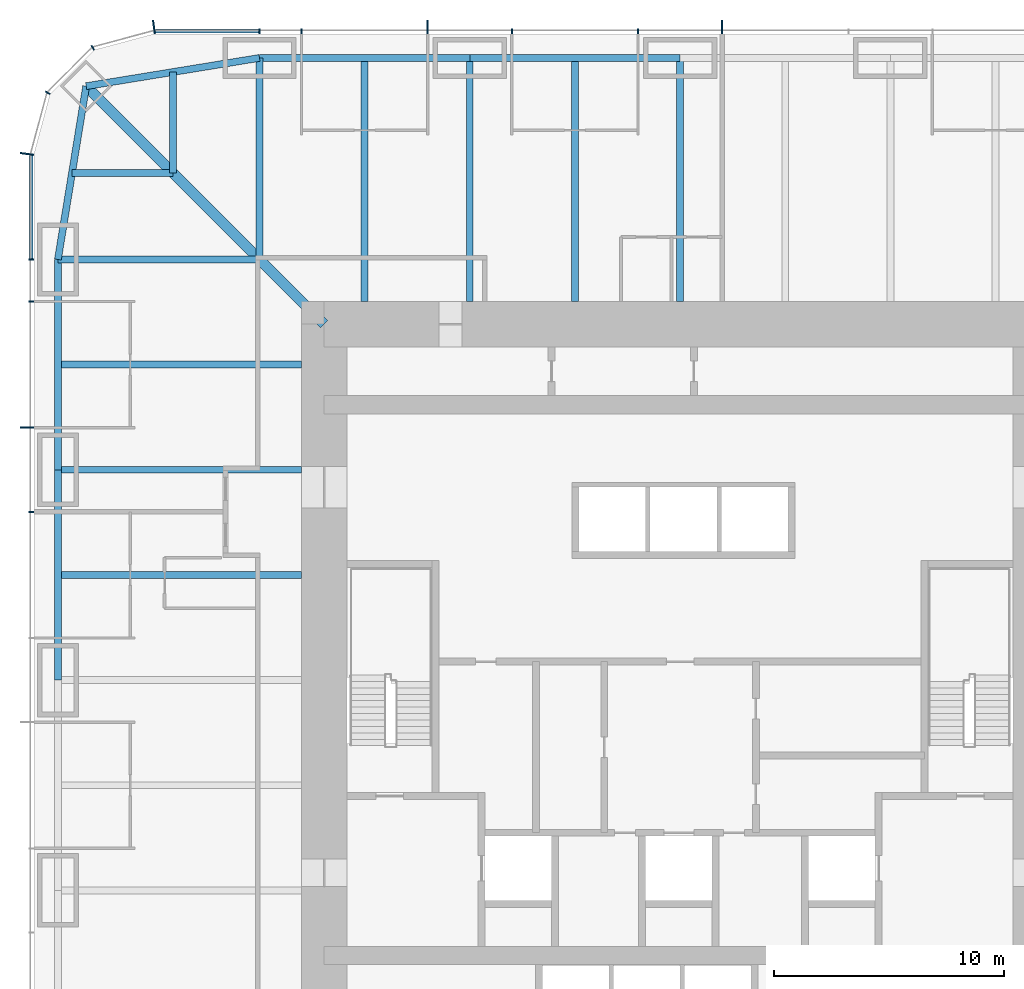
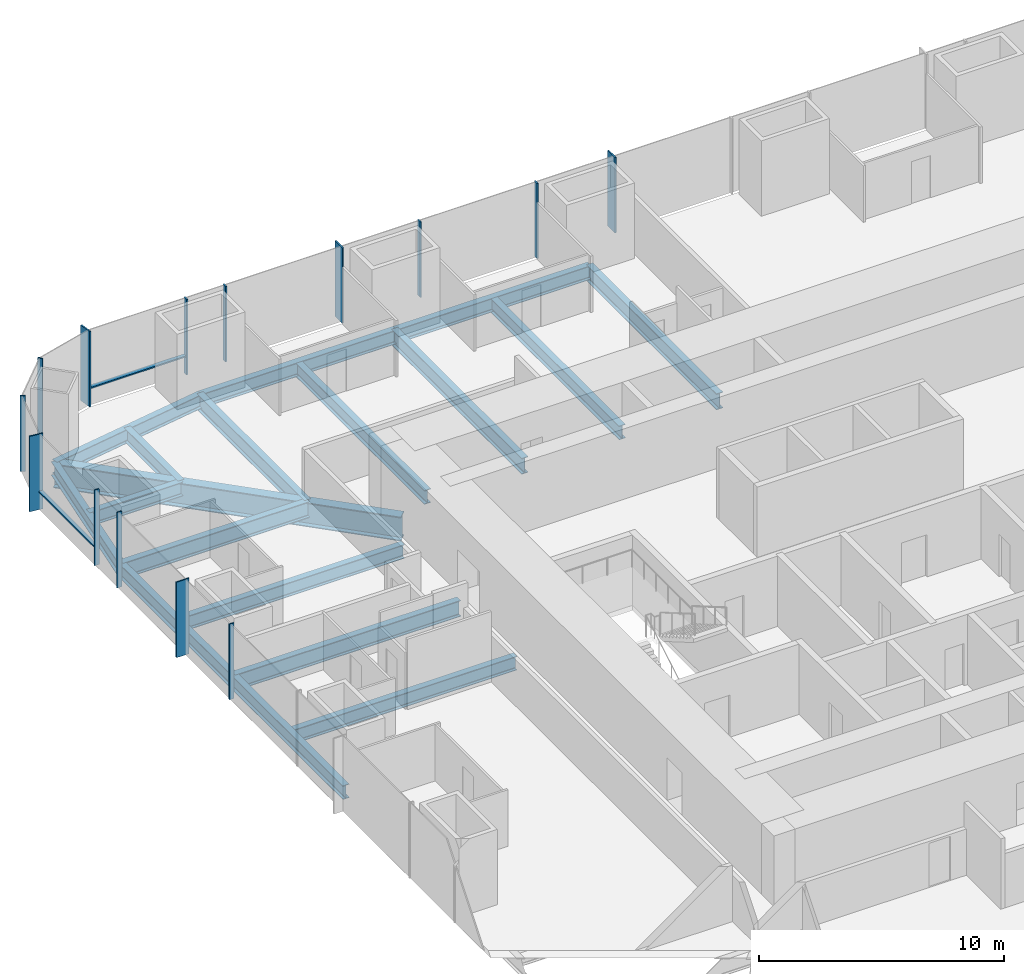
# One storey, part 4 of 11: 18 beams, 16 members, 3 elements without a shape of their own.
"""IFC4 building model written with IfcOpenShell, lengths in metres."""

from ifc_helpers import new_model, si_unit, direction, frame, origin, origin_2d, place, context, subcontext, project, spatial, rectangle, i_section, extrude, material, material_profile, profile_set, type_object, element, aggregate, save


model = new_model("IFC4")

# Units and contexts
model_context = context("Model", 3, precision=1e-05, world=origin(), true_north=direction((0.0, 1.0)))
body_context = subcontext(model_context, "Body", "Model", "MODEL_VIEW")
ifc_project = project(units=[si_unit("LENGTHUNIT", "METRE"), si_unit("AREAUNIT", "SQUARE_METRE"), si_unit("VOLUMEUNIT", "CUBIC_METRE"), si_unit("PLANEANGLEUNIT", "RADIAN"), si_unit("MASSUNIT", "GRAM", prefix="KILO")], contexts=[model_context])

# Site, building, storey
site_placement = place(None, origin())
site = spatial("IfcSite", under=ifc_project, at=site_placement, CompositionType="ELEMENT")
building_placement = place(site_placement, origin())
building = spatial("IfcBuilding", under=site, at=building_placement, Name="Khuree Lantern Residences", CompositionType="ELEMENT")
storey_placement = place(building_placement, frame((0.0, 0.0, 174.75)))
storey = spatial("IfcBuildingStorey", under=building, at=storey_placement, Name="L44", CompositionType="ELEMENT", Elevation=174.75)

# Beams
ifc_material_1 = material(Name="Steel S355", Category="steel")
ifc_material_profile_1 = material_profile(ifc_material_1, i_section(OverallWidth=0.300048828125, OverallDepth=0.68994140625, WebThickness=0.014404296875, FlangeThickness=0.027099609375, FilletRadius=0.027099609375, at=origin_2d()), Name="HE 700 A")
ifc_profile_set_1 = profile_set([ifc_material_profile_1], Name="Steel S355")
beam_type_1 = type_object("IfcBeamType", Name="B-25A SECONDARY BEAM HE 700 A", PredefinedType="BEAM", material=ifc_profile_set_1)
for number, where, z_axis, x_axis, name in (
    (1, (-13.739990234375, 27.10009765625, -0.594970703125), (0.0, -1.0, 0.0), (1.0, 0.0, 0.0), "Secondary beam N1"),
    (2, (-4.580078125, 27.10009765625, -0.594970703125), (0.0, -1.0, 0.0), (1.0, 0.0, 0.0), "Secondary beam N2"),
    (3, (-27.10009765625, 4.580078125, -0.594970703125), (1.0, 0.0, 0.0), (0.0, 1.0, 0.0), "Secondary beam W4"),
    (4, (-27.10009765625, 13.739990234375, -0.594970703125), (1.0, 0.0, 0.0), (0.0, 1.0, 0.0), "Secondary beam W5"),
):
    element("IfcBeam", number, at=place(storey_placement, frame(where, z_axis=z_axis, x_axis=x_axis)), inside=storey, type_object=beam_type_1, Name=name, PredefinedType="BEAM", context=body_context, shape_type="SweptSolid", body=[
        extrude(i_section(OverallWidth=0.300048828125, OverallDepth=0.68994140625, WebThickness=0.014404296875, FlangeThickness=0.027099609375, FilletRadius=0.027099609375, at=origin_2d()), origin(), (0.0, 0.0, 1.0), 10.60009765625),
    ])
for number, where, z_axis, x_axis, name in (
    (5, (-26.48486328125, 22.094970703125, -0.594970703125), (1.0, 0.0, 0.0), (0.0, 1.0, 0.0), "Secondary beam W6"),
    (6, (-22.094970703125, 26.48486328125, -0.594970703125), (0.0, -1.0, 0.0), (1.0, 0.0, 0.0), "Secondary beam N6"),
):
    element("IfcBeam", number, at=place(storey_placement, frame(where, z_axis=z_axis, x_axis=x_axis)), inside=storey, type_object=beam_type_1, Name=name, PredefinedType="BEAM", context=body_context, shape_type="SweptSolid", body=[
        extrude(i_section(OverallWidth=0.300048828125, OverallDepth=0.68994140625, WebThickness=0.014404296875, FlangeThickness=0.027099609375, FilletRadius=0.027099609375, at=origin_2d()), origin(), (0.0, 0.0, 1.0), 4.389892578125),
    ])
ifc_material_profile_2 = material_profile(ifc_material_1, i_section(OverallWidth=0.300048828125, OverallDepth=0.68994140625, WebThickness=0.014404296875, FlangeThickness=0.027099609375, FilletRadius=0.027099609375, at=origin_2d()), Name="HE 700 A")
ifc_profile_set_2 = profile_set([ifc_material_profile_2], Name="Steel S355")
beam_type_2 = type_object("IfcBeamType", Name="E-25 SPANDREL BEAM HE 700 A", PredefinedType="SPANDREL", material=ifc_profile_set_2)
beam_1_placement = place(storey_placement, frame((-18.320068359375, 27.10009765625, -0.594970703125), z_axis=(1.0, 0.0, 0.0), x_axis=(0.0, 1.0, 0.0)))
element("IfcBeam", 7, at=beam_1_placement, inside=storey, type_object=beam_type_2, Name="Spandrel beam N1", PredefinedType="SPANDREL", context=body_context, shape_type="SweptSolid", body=[
    extrude(i_section(OverallWidth=0.300048828125, OverallDepth=0.68994140625, WebThickness=0.014404296875, FlangeThickness=0.027099609375, FilletRadius=0.027099609375, at=origin_2d()), origin(), (0.0, 0.0, 1.0), 9.16015625),
])
for number, where, z_axis, x_axis, name in (
    (8, (-9.159912109375, 27.10009765625, -0.594970703125), (1.0, 0.0, 0.0), (0.0, 1.0, 0.0), "Spandrel beam N2"),
    (9, (-27.10009765625, 0.0, -0.594970703125), (0.0, 1.0, 0.0), (-1.0, 0.0, 0.0), "Spandrel beam W4"),
):
    element("IfcBeam", number, at=place(storey_placement, frame(where, z_axis=z_axis, x_axis=x_axis)), inside=storey, type_object=beam_type_2, Name=name, PredefinedType="SPANDREL", context=body_context, shape_type="SweptSolid", body=[
        extrude(i_section(OverallWidth=0.300048828125, OverallDepth=0.68994140625, WebThickness=0.014404296875, FlangeThickness=0.027099609375, FilletRadius=0.027099609375, at=origin_2d()), origin(), (0.0, 0.0, 1.0), 9.159912109375),
    ])
beam_2_placement = place(storey_placement, frame((-27.10009765625, 9.159912109375, -0.594970703125), z_axis=(0.0, 1.0, 0.0), x_axis=(-1.0, 0.0, 0.0)))
element("IfcBeam", 10, at=beam_2_placement, inside=storey, type_object=beam_type_2, Name="Spandrel beam W5", PredefinedType="SPANDREL", context=body_context, shape_type="SweptSolid", body=[
    extrude(i_section(OverallWidth=0.300048828125, OverallDepth=0.68994140625, WebThickness=0.014404296875, FlangeThickness=0.027099609375, FilletRadius=0.027099609375, at=origin_2d()), origin(), (0.0, 0.0, 1.0), 9.16015625),
])
for number, where, z_axis, x_axis, name in (
    (11, (-27.10009765625, 18.320068359375, -0.594970703125), (0.160826723833, 0.986982656839, 0.0), (-0.986982656839, 0.160826723833, 0.0), "Spandrel beam W6"),
    (12, (-25.869873046875, 25.869873046875, -0.594970703125), (0.986982656839, 0.160826723833, 0.0), (-0.160826723833, 0.986982656839, 0.0), "Spandrel beam N6"),
):
    element("IfcBeam", number, at=place(storey_placement, frame(where, z_axis=z_axis, x_axis=x_axis)), inside=storey, type_object=beam_type_2, Name=name, PredefinedType="SPANDREL", context=body_context, shape_type="SweptSolid", body=[
        extrude(i_section(OverallWidth=0.300048828125, OverallDepth=0.68994140625, WebThickness=0.014404296875, FlangeThickness=0.027099609375, FilletRadius=0.027099609375, at=origin_2d()), origin(), (0.0, 0.0, 1.0), 7.6494140625),
    ])

# Curtain wall, members
ifc_material_2 = material(Name="Bronze anodised aluminium", Category="aluminium")
curtain_wall_type_1 = type_object("IfcCurtainWallType", Name="CW-T1 TOWER FACE CURTAIN WALL", PredefinedType="USERDEFINED", material=ifc_material_2)
curtain_wall_1_placement = place(storey_placement, origin())
curtain_wall_1 = element("IfcCurtainWall", 13, at=curtain_wall_1_placement, inside=storey, type_object=curtain_wall_type_1, Name="L44 NORTH FACE CURTAIN WALL", ObjectType="Stick-built curtain wall", PredefinedType="USERDEFINED")
ifc_material_profile_3 = material_profile(ifc_material_2, rectangle(XDim=0.06494140625, YDim=0.60009765625, at=origin_2d()), Name="F1 65X600")
ifc_profile_set_3 = profile_set([ifc_material_profile_3], Name="Bronze anodised aluminium")
member_type_1 = type_object("IfcMemberType", Name="F1 BRONZE FIN MULLION TOWER 65X600", PredefinedType="MULLION", material=ifc_profile_set_3)
member_1_placement = place(storey_placement, frame((1.83203125, 28.449951171875, 0.0), z_axis=(0.0, 0.0, 1.0), x_axis=(-1.0, 0.0, 0.0)))
member_1 = element("IfcMember", 14, at=member_1_placement, type_object=member_type_1, Name="L44 NORTH FACE FIN MULLION 23", PredefinedType="MULLION", context=body_context, shape_type="SweptSolid", body=[
    extrude(rectangle(XDim=0.06494140625, YDim=0.60009765625, at=origin_2d()), origin(), (0.0, 0.0, 1.0), 3.75),
])
member_2_placement = place(storey_placement, frame((-10.991943359375, 28.449951171875, 0.0), z_axis=(0.0, 0.0, 1.0), x_axis=(-1.0, 0.0, 0.0)))
member_2 = element("IfcMember", 15, at=member_2_placement, type_object=member_type_1, Name="L44 NORTH FACE FIN MULLION 26", PredefinedType="MULLION", context=body_context, shape_type="SweptSolid", body=[
    extrude(rectangle(XDim=0.06494140625, YDim=0.60009765625, at=origin_2d()), origin(), (0.0, 0.0, 1.0), 3.75),
])

# Curtain wall, member
curtain_wall_type_2 = type_object("IfcCurtainWallType", Name="CW-T2 TOWER CORNER CURTAIN WALL", PredefinedType="USERDEFINED", material=ifc_material_2)
curtain_wall_2_placement = place(storey_placement, origin())
curtain_wall_2 = element("IfcCurtainWall", 16, at=curtain_wall_2_placement, inside=storey, type_object=curtain_wall_type_2, Name="L44 NORTH-WEST CORNER CURTAIN WALL", ObjectType="Faceted corner curtain wall", PredefinedType="USERDEFINED")
member_3_placement = place(storey_placement, frame((-22.919677734375, 28.4501953125, 0.0), z_axis=(0.0, 0.0, 1.0), x_axis=(-0.991444857305, -0.130526223125, 0.0)))
member_3 = element("IfcMember", 17, at=member_3_placement, type_object=member_type_1, Name="L44 NORTH-WEST CORNER FIN MULLION 29", PredefinedType="MULLION", context=body_context, shape_type="SweptSolid", body=[
    extrude(rectangle(XDim=0.06494140625, YDim=0.60009765625, at=origin_2d()), origin(), (0.0, 0.0, 1.0), 3.75),
])

# Curtain wall, members
curtain_wall_3_placement = place(storey_placement, origin())
curtain_wall_3 = element("IfcCurtainWall", 18, at=curtain_wall_3_placement, inside=storey, type_object=curtain_wall_type_1, Name="L44 WEST FACE CURTAIN WALL", ObjectType="Stick-built curtain wall", PredefinedType="USERDEFINED")
member_4_placement = place(storey_placement, frame((-28.4501953125, 22.919677734375, 0.0), z_axis=(0.0, 0.0, 1.0), x_axis=(-0.130526223125, -0.991444857305, 0.0)))
member_4 = element("IfcMember", 19, at=member_4_placement, type_object=member_type_1, Name="L44 WEST FACE FIN MULLION 32", PredefinedType="MULLION", context=body_context, shape_type="SweptSolid", body=[
    extrude(rectangle(XDim=0.06494140625, YDim=0.60009765625, at=origin_2d()), origin(), (0.0, 0.0, 1.0), 3.75),
])
member_5_placement = place(storey_placement, frame((-28.449951171875, 10.991943359375, 0.0), z_axis=(0.0, 0.0, 1.0), x_axis=(0.0, -1.0, 0.0)))
member_5 = element("IfcMember", 20, at=member_5_placement, type_object=member_type_1, Name="L44 WEST FACE FIN MULLION 35", PredefinedType="MULLION", context=body_context, shape_type="SweptSolid", body=[
    extrude(rectangle(XDim=0.06494140625, YDim=0.60009765625, at=origin_2d()), origin(), (0.0, 0.0, 1.0), 3.75),
])

# Beams
ifc_material_profile_4 = material_profile(ifc_material_1, i_section(OverallWidth=0.300048828125, OverallDepth=0.800048828125, WebThickness=0.017578125, FlangeThickness=0.032958984375, FilletRadius=0.030029296875, at=origin_2d()), Name="HE 800 B")
ifc_profile_set_4 = profile_set([ifc_material_profile_4], Name="Steel S355")
beam_type_3 = type_object("IfcBeamType", Name="G-25A GIRDER HE 800 B", PredefinedType="BEAM", material=ifc_profile_set_4)
beam_3_placement = place(storey_placement, frame((-18.320068359375, 27.10009765625, -0.64990234375), z_axis=(0.0, -1.0, 0.0), x_axis=(1.0, 0.0, 0.0)))
element("IfcBeam", 21, at=beam_3_placement, inside=storey, type_object=beam_type_3, Name="Girder N1", PredefinedType="BEAM", context=body_context, shape_type="SweptSolid", body=[
    extrude(i_section(OverallWidth=0.300048828125, OverallDepth=0.800048828125, WebThickness=0.017578125, FlangeThickness=0.032958984375, FilletRadius=0.030029296875, at=origin_2d()), origin(), (0.0, 0.0, 1.0), 8.780029296875),
])
for number, where, z_axis, x_axis, name in (
    (22, (-9.159912109375, 27.10009765625, -0.64990234375), (0.0, -1.0, 0.0), (1.0, 0.0, 0.0), "Girder N2"),
    (23, (0.0, 27.10009765625, -0.64990234375), (0.0, -1.0, 0.0), (1.0, 0.0, 0.0), "Girder N3"),
    (24, (-27.10009765625, 9.159912109375, -0.64990234375), (1.0, 0.0, 0.0), (0.0, 1.0, 0.0), "Girder W4"),
):
    element("IfcBeam", number, at=place(storey_placement, frame(where, z_axis=z_axis, x_axis=x_axis)), inside=storey, type_object=beam_type_3, Name=name, PredefinedType="BEAM", context=body_context, shape_type="SweptSolid", body=[
        extrude(i_section(OverallWidth=0.300048828125, OverallDepth=0.800048828125, WebThickness=0.017578125, FlangeThickness=0.032958984375, FilletRadius=0.030029296875, at=origin_2d()), origin(), (0.0, 0.0, 1.0), 10.60009765625),
    ])
beam_4_placement = place(storey_placement, frame((-27.10009765625, 18.320068359375, -0.64990234375), z_axis=(1.0, 0.0, 0.0), x_axis=(0.0, 1.0, 0.0)))
element("IfcBeam", 25, at=beam_4_placement, inside=storey, type_object=beam_type_3, Name="Girder W5", PredefinedType="BEAM", context=body_context, shape_type="SweptSolid", body=[
    extrude(i_section(OverallWidth=0.300048828125, OverallDepth=0.800048828125, WebThickness=0.017578125, FlangeThickness=0.032958984375, FilletRadius=0.030029296875, at=origin_2d()), origin(), (0.0, 0.0, 1.0), 8.780029296875),
])
ifc_material_profile_5 = material_profile(ifc_material_1, i_section(OverallWidth=0.449951171875, OverallDepth=1.199951171875, WebThickness=0.02490234375, FlangeThickness=0.044921875, at=origin_2d()), Name="WELDED I 1200X450X25X45")
ifc_profile_set_5 = profile_set([ifc_material_profile_5], Name="Steel S355")
beam_type_4 = type_object("IfcBeamType", Name="GD-25 CORNER GIRDER WELDED I 1200X450X25X45", PredefinedType="BEAM", material=ifc_profile_set_5)
beam_5_placement = place(storey_placement, frame((-25.869873046875, 25.869873046875, -0.85009765625), z_axis=(0.707106781187, -0.707106781187, 0.0), x_axis=(0.707106781187, 0.707106781187, 0.0)))
element("IfcBeam", 26, at=beam_5_placement, inside=storey, type_object=beam_type_4, Name="Corner girder NW", PredefinedType="BEAM", context=body_context, shape_type="SweptSolid", body=[
    extrude(i_section(OverallWidth=0.449951171875, OverallDepth=1.199951171875, WebThickness=0.02490234375, FlangeThickness=0.044921875, at=origin_2d()), origin(), (0.0, 0.0, 1.0), 14.665283203125),
])

# Member
ifc_material_profile_6 = material_profile(ifc_material_2, rectangle(XDim=0.06494140625, YDim=0.219970703125, at=origin_2d()), Name="M1 65X220")
ifc_profile_set_6 = profile_set([ifc_material_profile_6], Name="Bronze anodised aluminium")
member_type_2 = type_object("IfcMemberType", Name="M1 BRONZE MULLION TOWER 65X220", PredefinedType="MULLION", material=ifc_profile_set_6)
member_6_placement = place(storey_placement, frame((-1.83203125, 28.260009765625, 0.0), z_axis=(0.0, 0.0, 1.0), x_axis=(-1.0, 0.0, 0.0)))
member_6 = element("IfcMember", 27, at=member_6_placement, type_object=member_type_2, Name="L44 NORTH FACE MULLION 24", PredefinedType="MULLION", context=body_context, shape_type="SweptSolid", body=[
    extrude(rectangle(XDim=0.06494140625, YDim=0.219970703125, at=origin_2d()), origin(), (0.0, 0.0, 1.0), 3.75),
])

member_7_placement = place(storey_placement, frame((-7.327880859375, 28.260009765625, 0.0), z_axis=(0.0, 0.0, 1.0), x_axis=(-1.0, 0.0, 0.0)))
member_7 = element("IfcMember", 28, at=member_7_placement, type_object=member_type_2, Name="L44 NORTH FACE MULLION 25", PredefinedType="MULLION", context=body_context, shape_type="SweptSolid", body=[
    extrude(rectangle(XDim=0.06494140625, YDim=0.219970703125, at=origin_2d()), origin(), (0.0, 0.0, 1.0), 3.75),
])

member_8_placement = place(storey_placement, frame((-16.488037109375, 28.260009765625, 0.0), z_axis=(0.0, 0.0, 1.0), x_axis=(-1.0, 0.0, 0.0)))
member_8 = element("IfcMember", 29, at=member_8_placement, type_object=member_type_2, Name="L44 NORTH FACE MULLION 27", PredefinedType="MULLION", context=body_context, shape_type="SweptSolid", body=[
    extrude(rectangle(XDim=0.06494140625, YDim=0.219970703125, at=origin_2d()), origin(), (0.0, 0.0, 1.0), 3.75),
])

member_9_placement = place(storey_placement, frame((-18.320068359375, 28.260009765625, 0.0), z_axis=(0.0, 0.0, 1.0), x_axis=(-1.0, 0.0, 0.0)))
member_9 = element("IfcMember", 30, at=member_9_placement, type_object=member_type_2, Name="L44 NORTH FACE MULLION 28", PredefinedType="MULLION", context=body_context, shape_type="SweptSolid", body=[
    extrude(rectangle(XDim=0.06494140625, YDim=0.219970703125, at=origin_2d()), origin(), (0.0, 0.0, 1.0), 3.75),
])

member_10_placement = place(storey_placement, frame((-25.580078125, 27.5419921875, 0.0), z_axis=(0.0, 0.0, 1.0), x_axis=(-0.866025388199, -0.500000026995, 0.0)))
member_10 = element("IfcMember", 31, at=member_10_placement, type_object=member_type_2, Name="L44 NORTH-WEST CORNER MULLION 30", PredefinedType="MULLION", context=body_context, shape_type="SweptSolid", body=[
    extrude(rectangle(XDim=0.06494140625, YDim=0.219970703125, at=origin_2d()), origin(), (0.0, 0.0, 1.0), 3.75),
])

member_11_placement = place(storey_placement, frame((-27.5419921875, 25.580078125, 0.0), z_axis=(0.0, 0.0, 1.0), x_axis=(-0.500000026995, -0.866025388199, 0.0)))
member_11 = element("IfcMember", 32, at=member_11_placement, type_object=member_type_2, Name="L44 NORTH-WEST CORNER MULLION 31", PredefinedType="MULLION", context=body_context, shape_type="SweptSolid", body=[
    extrude(rectangle(XDim=0.06494140625, YDim=0.219970703125, at=origin_2d()), origin(), (0.0, 0.0, 1.0), 3.75),
])

aggregate(curtain_wall_2, [member_3, member_10, member_11])

member_12_placement = place(storey_placement, frame((-28.260009765625, 18.320068359375, 0.0), z_axis=(0.0, 0.0, 1.0), x_axis=(0.0, -1.0, 0.0)))
member_12 = element("IfcMember", 33, at=member_12_placement, type_object=member_type_2, Name="L44 WEST FACE MULLION 33", PredefinedType="MULLION", context=body_context, shape_type="SweptSolid", body=[
    extrude(rectangle(XDim=0.06494140625, YDim=0.219970703125, at=origin_2d()), origin(), (0.0, 0.0, 1.0), 3.75),
])

member_13_placement = place(storey_placement, frame((-28.260009765625, 16.488037109375, 0.0), z_axis=(0.0, 0.0, 1.0), x_axis=(0.0, -1.0, 0.0)))
member_13 = element("IfcMember", 34, at=member_13_placement, type_object=member_type_2, Name="L44 WEST FACE MULLION 34", PredefinedType="MULLION", context=body_context, shape_type="SweptSolid", body=[
    extrude(rectangle(XDim=0.06494140625, YDim=0.219970703125, at=origin_2d()), origin(), (0.0, 0.0, 1.0), 3.75),
])

member_14_placement = place(storey_placement, frame((-28.260009765625, 7.327880859375, 0.0), z_axis=(0.0, 0.0, 1.0), x_axis=(0.0, -1.0, 0.0)))
member_14 = element("IfcMember", 35, at=member_14_placement, type_object=member_type_2, Name="L44 WEST FACE MULLION 36", PredefinedType="MULLION", context=body_context, shape_type="SweptSolid", body=[
    extrude(rectangle(XDim=0.06494140625, YDim=0.219970703125, at=origin_2d()), origin(), (0.0, 0.0, 1.0), 3.75),
])

ifc_material_profile_7 = material_profile(ifc_material_2, rectangle(XDim=0.179931640625, YDim=0.06494140625, at=origin_2d()), Name="T1 180X65")
ifc_profile_set_7 = profile_set([ifc_material_profile_7], Name="Bronze anodised aluminium")
member_type_3 = type_object("IfcMemberType", Name="TRANSOM T1 TOWER 180X65", PredefinedType="USERDEFINED", material=ifc_profile_set_7)
member_15_placement = place(storey_placement, frame((-18.3525390625, 28.27001953125, 0.89990234375), z_axis=(-1.0, 0.0, 0.0), x_axis=(0.0, -1.0, 0.0)))
member_15 = element("IfcMember", 36, at=member_15_placement, type_object=member_type_3, Name="L44 NORTH FACE TRANSOM 28.1", ObjectType="Transom", PredefinedType="USERDEFINED", context=body_context, shape_type="SweptSolid", body=[
    extrude(rectangle(XDim=0.179931640625, YDim=0.06494140625, at=origin_2d()), origin(), (0.0, 0.0, 1.0), 4.498779296875),
])

aggregate(curtain_wall_1, [member_1, member_6, member_7, member_2, member_8, member_9, member_15])

member_16_placement = place(storey_placement, frame((-28.27001953125, 22.851318359375, 0.89990234375), z_axis=(0.0, -1.0, 0.0), x_axis=(1.0, 0.0, 0.0)))
member_16 = element("IfcMember", 37, at=member_16_placement, type_object=member_type_3, Name="L44 WEST FACE TRANSOM 32.1", ObjectType="Transom", PredefinedType="USERDEFINED", context=body_context, shape_type="SweptSolid", body=[
    extrude(rectangle(XDim=0.179931640625, YDim=0.06494140625, at=origin_2d()), origin(), (0.0, 0.0, 1.0), 4.498779296875),
])

aggregate(curtain_wall_3, [member_4, member_12, member_13, member_5, member_14, member_16])

save(model, "model.ifc")
